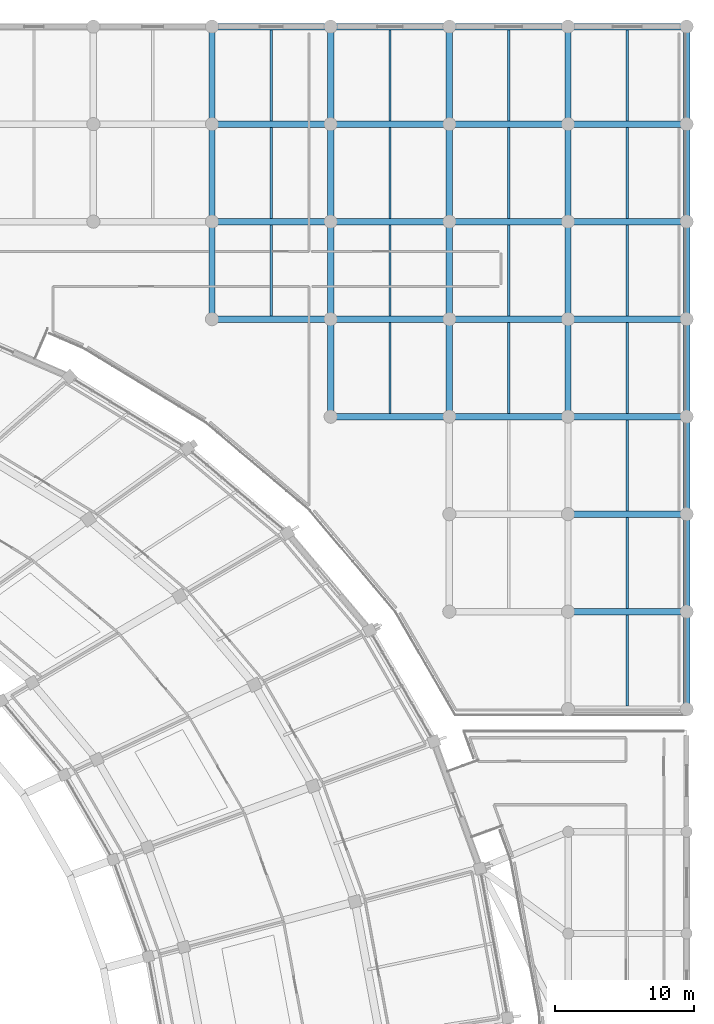
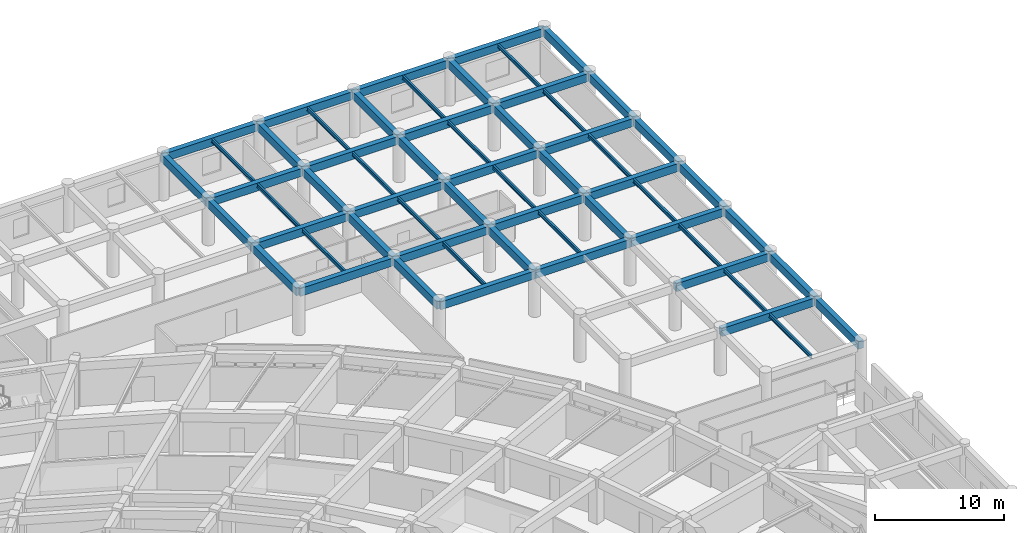
# One storey, part 76 of 145: 61 beams.
"""IFC4 building model written with IfcOpenShell, lengths in metres."""

from ifc_helpers import new_model, si_unit, direction, frame, origin, origin_2d, place, context, subcontext, project, spatial, rectangle, i_section, extrude, material, material_profile, profile_set, type_object, element, save


model = new_model("IFC4")

# Units and contexts
model_context = context("Model", 3, precision=1e-05, world=origin(), true_north=direction((0.0, 1.0)))
body_context = subcontext(model_context, "Body", "Model", "MODEL_VIEW")
ifc_project = project(units=[si_unit("LENGTHUNIT", "METRE"), si_unit("AREAUNIT", "SQUARE_METRE"), si_unit("VOLUMEUNIT", "CUBIC_METRE"), si_unit("PLANEANGLEUNIT", "RADIAN"), si_unit("MASSUNIT", "GRAM", prefix="KILO")], contexts=[model_context])

# Site, building, storey
site_placement = place(None, origin())
site = spatial("IfcSite", under=ifc_project, at=site_placement, CompositionType="ELEMENT")
building_placement = place(site_placement, origin())
building = spatial("IfcBuilding", under=site, at=building_placement, Name="Mphavela Belvedere Stadium", CompositionType="ELEMENT")
storey_placement = place(building_placement, frame((0.0, 0.0, 10.199951171875)))
storey = spatial("IfcBuildingStorey", under=building, at=storey_placement, Name="L02", CompositionType="ELEMENT", Elevation=10.199951171875)

# Beams
ifc_material_1 = material(Name="Steel S355", Category="steel")
ifc_material_profile_1 = material_profile(ifc_material_1, i_section(OverallWidth=0.169921875, OverallDepth=0.360107421875, WebThickness=0.008056640625, FlangeThickness=0.0126953125, at=origin_2d()), Name="IPE 360")
ifc_profile_set_1 = profile_set([ifc_material_profile_1], Name="Steel S355")
beam_type_1 = type_object("IfcBeamType", Name="BM-JOIST-IPE360", PredefinedType="JOIST", material=ifc_profile_set_1)
for number, where, z_axis, x_axis, name in (
    (1, (200.18505859375, 153.22509765625, 4.06005859375), (0.0, 1.0, 0.0), (-1.0, 0.0, 0.0), "North Mast and Ceremonial End Forecourt secondary joist L02 24-5"),
    (2, (200.18505859375, 160.22509765625, 4.06005859375), (0.0, 1.0, 0.0), (-1.0, 0.0, 0.0), "North Mast and Ceremonial End Forecourt secondary joist L02 24-6"),
    (3, (200.18505859375, 167.22509765625, 4.06005859375), (0.0, 1.0, 0.0), (-1.0, 0.0, 0.0), "North Mast and Ceremonial End Forecourt secondary joist L02 24-7"),
    (4, (208.70361328125, 146.22509765625, 4.06005859375), (0.0, 1.0, 0.0), (-1.0, 0.0, 0.0), "North Mast and Ceremonial End Forecourt secondary joist L02 25-4"),
    (5, (208.70361328125, 153.22509765625, 4.06005859375), (0.0, 1.0, 0.0), (-1.0, 0.0, 0.0), "North Mast and Ceremonial End Forecourt secondary joist L02 25-5"),
    (6, (208.70361328125, 160.22509765625, 4.06005859375), (0.0, 1.0, 0.0), (-1.0, 0.0, 0.0), "North Mast and Ceremonial End Forecourt secondary joist L02 25-6"),
    (7, (208.70361328125, 167.22509765625, 4.06005859375), (0.0, 1.0, 0.0), (-1.0, 0.0, 0.0), "North Mast and Ceremonial End Forecourt secondary joist L02 25-7"),
    (8, (217.221923828125, 146.22509765625, 4.06005859375), (0.0, 1.0, 0.0), (-1.0, 0.0, 0.0), "North Mast and Ceremonial End Forecourt secondary joist L02 26-4"),
    (9, (217.221923828125, 153.22509765625, 4.06005859375), (0.0, 1.0, 0.0), (-1.0, 0.0, 0.0), "North Mast and Ceremonial End Forecourt secondary joist L02 26-5"),
    (10, (217.221923828125, 160.22509765625, 4.06005859375), (0.0, 1.0, 0.0), (-1.0, 0.0, 0.0), "North Mast and Ceremonial End Forecourt secondary joist L02 26-6"),
    (11, (217.221923828125, 167.22509765625, 4.06005859375), (0.0, 1.0, 0.0), (-1.0, 0.0, 0.0), "North Mast and Ceremonial End Forecourt secondary joist L02 26-7"),
    (12, (225.740478515625, 125.22509765625, 4.06005859375), (0.0, 1.0, 0.0), (-1.0, 0.0, 0.0), "North Mast and Ceremonial End Forecourt secondary joist L02 27-1"),
    (13, (225.740478515625, 132.22509765625, 4.06005859375), (0.0, 1.0, 0.0), (-1.0, 0.0, 0.0), "North Mast and Ceremonial End Forecourt secondary joist L02 27-2"),
    (14, (225.740478515625, 139.22509765625, 4.06005859375), (0.0, 1.0, 0.0), (-1.0, 0.0, 0.0), "North Mast and Ceremonial End Forecourt secondary joist L02 27-3"),
    (15, (225.740478515625, 146.22509765625, 4.06005859375), (0.0, 1.0, 0.0), (-1.0, 0.0, 0.0), "North Mast and Ceremonial End Forecourt secondary joist L02 27-4"),
    (16, (225.740478515625, 153.22509765625, 4.06005859375), (0.0, 1.0, 0.0), (-1.0, 0.0, 0.0), "North Mast and Ceremonial End Forecourt secondary joist L02 27-5"),
    (17, (225.740478515625, 160.22509765625, 4.06005859375), (0.0, 1.0, 0.0), (-1.0, 0.0, 0.0), "North Mast and Ceremonial End Forecourt secondary joist L02 27-6"),
    (18, (225.740478515625, 167.22509765625, 4.06005859375), (0.0, 1.0, 0.0), (-1.0, 0.0, 0.0), "North Mast and Ceremonial End Forecourt secondary joist L02 27-7"),
):
    element("IfcBeam", number, at=place(storey_placement, frame(where, z_axis=z_axis, x_axis=x_axis)), inside=storey, type_object=beam_type_1, Name=name, PredefinedType="JOIST", context=body_context, shape_type="SweptSolid", body=[
        extrude(i_section(OverallWidth=0.169921875, OverallDepth=0.360107421875, WebThickness=0.008056640625, FlangeThickness=0.0126953125, at=origin_2d()), origin(), (0.0, 0.0, 1.0), 6.5498046875),
    ])
ifc_material_2 = material(Name="Concrete C40/50", Category="concrete")
ifc_material_profile_2 = material_profile(ifc_material_2, rectangle(XDim=0.449951171875, YDim=0.75, at=origin_2d()), Name="RC 450x750")
ifc_profile_set_2 = profile_set([ifc_material_profile_2], Name="Concrete C40/50")
beam_type_2 = type_object("IfcBeamType", Name="BM-RC450x750", PredefinedType="BEAM", material=ifc_profile_set_2)
beam_1_placement = place(storey_placement, frame((195.926025390625, 153.0, 3.864990234375), z_axis=(1.0, 0.0, 0.0), x_axis=(0.0, 1.0, 0.0)))
element("IfcBeam", 19, at=beam_1_placement, inside=storey, type_object=beam_type_2, Name="North Mast and Ceremonial End Forecourt entablature beam X L02 24-5", PredefinedType="BEAM", context=body_context, shape_type="SweptSolid", body=[
    extrude(rectangle(XDim=0.449951171875, YDim=0.75, at=origin_2d()), origin(), (0.0, 0.0, 1.0), 8.51806640625),
])
beam_2_placement = place(storey_placement, frame((195.926025390625, 153.0, 3.864990234375), z_axis=(0.0, 1.0, 0.0), x_axis=(-1.0, 0.0, 0.0)))
element("IfcBeam", 20, at=beam_2_placement, inside=storey, type_object=beam_type_2, Name="North Mast and Ceremonial End Forecourt entablature beam Y L02 24-5", PredefinedType="BEAM", context=body_context, shape_type="SweptSolid", body=[
    extrude(rectangle(XDim=0.449951171875, YDim=0.75, at=origin_2d()), origin(), (0.0, 0.0, 1.0), 7.0),
])
beam_3_placement = place(storey_placement, frame((195.926025390625, 160.0, 3.864990234375), z_axis=(1.0, 0.0, 0.0), x_axis=(0.0, 1.0, 0.0)))
element("IfcBeam", 21, at=beam_3_placement, inside=storey, type_object=beam_type_2, Name="North Mast and Ceremonial End Forecourt entablature beam X L02 24-6", PredefinedType="BEAM", context=body_context, shape_type="SweptSolid", body=[
    extrude(rectangle(XDim=0.449951171875, YDim=0.75, at=origin_2d()), origin(), (0.0, 0.0, 1.0), 8.51806640625),
])
beam_4_placement = place(storey_placement, frame((195.926025390625, 160.0, 3.864990234375), z_axis=(0.0, 1.0, 0.0), x_axis=(-1.0, 0.0, 0.0)))
element("IfcBeam", 22, at=beam_4_placement, inside=storey, type_object=beam_type_2, Name="North Mast and Ceremonial End Forecourt entablature beam Y L02 24-6", PredefinedType="BEAM", context=body_context, shape_type="SweptSolid", body=[
    extrude(rectangle(XDim=0.449951171875, YDim=0.75, at=origin_2d()), origin(), (0.0, 0.0, 1.0), 7.0),
])
beam_5_placement = place(storey_placement, frame((195.926025390625, 167.0, 3.864990234375), z_axis=(1.0, 0.0, 0.0), x_axis=(0.0, 1.0, 0.0)))
element("IfcBeam", 23, at=beam_5_placement, inside=storey, type_object=beam_type_2, Name="North Mast and Ceremonial End Forecourt entablature beam X L02 24-7", PredefinedType="BEAM", context=body_context, shape_type="SweptSolid", body=[
    extrude(rectangle(XDim=0.449951171875, YDim=0.75, at=origin_2d()), origin(), (0.0, 0.0, 1.0), 8.51806640625),
])
beam_6_placement = place(storey_placement, frame((195.926025390625, 167.0, 3.864990234375), z_axis=(0.0, 1.0, 0.0), x_axis=(-1.0, 0.0, 0.0)))
element("IfcBeam", 24, at=beam_6_placement, inside=storey, type_object=beam_type_2, Name="North Mast and Ceremonial End Forecourt entablature beam Y L02 24-7", PredefinedType="BEAM", context=body_context, shape_type="SweptSolid", body=[
    extrude(rectangle(XDim=0.449951171875, YDim=0.75, at=origin_2d()), origin(), (0.0, 0.0, 1.0), 7.0),
])
beam_7_placement = place(storey_placement, frame((195.926025390625, 174.0, 3.864990234375), z_axis=(1.0, 0.0, 0.0), x_axis=(0.0, 1.0, 0.0)))
element("IfcBeam", 25, at=beam_7_placement, inside=storey, type_object=beam_type_2, Name="North Mast and Ceremonial End Forecourt entablature beam X L02 24-8", PredefinedType="BEAM", context=body_context, shape_type="SweptSolid", body=[
    extrude(rectangle(XDim=0.449951171875, YDim=0.75, at=origin_2d()), origin(), (0.0, 0.0, 1.0), 8.51806640625),
])
beam_8_placement = place(storey_placement, frame((204.444091796875, 146.0, 3.864990234375), z_axis=(1.0, 0.0, 0.0), x_axis=(0.0, 1.0, 0.0)))
element("IfcBeam", 26, at=beam_8_placement, inside=storey, type_object=beam_type_2, Name="North Mast and Ceremonial End Forecourt entablature beam X L02 25-4", PredefinedType="BEAM", context=body_context, shape_type="SweptSolid", body=[
    extrude(rectangle(XDim=0.449951171875, YDim=0.75, at=origin_2d()), origin(), (0.0, 0.0, 1.0), 8.518798828125),
])
beam_9_placement = place(storey_placement, frame((204.444091796875, 146.0, 3.864990234375), z_axis=(0.0, 1.0, 0.0), x_axis=(-1.0, 0.0, 0.0)))
element("IfcBeam", 27, at=beam_9_placement, inside=storey, type_object=beam_type_2, Name="North Mast and Ceremonial End Forecourt entablature beam Y L02 25-4", PredefinedType="BEAM", context=body_context, shape_type="SweptSolid", body=[
    extrude(rectangle(XDim=0.449951171875, YDim=0.75, at=origin_2d()), origin(), (0.0, 0.0, 1.0), 7.0),
])
beam_10_placement = place(storey_placement, frame((204.444091796875, 153.0, 3.864990234375), z_axis=(1.0, 0.0, 0.0), x_axis=(0.0, 1.0, 0.0)))
element("IfcBeam", 28, at=beam_10_placement, inside=storey, type_object=beam_type_2, Name="North Mast and Ceremonial End Forecourt entablature beam X L02 25-5", PredefinedType="BEAM", context=body_context, shape_type="SweptSolid", body=[
    extrude(rectangle(XDim=0.449951171875, YDim=0.75, at=origin_2d()), origin(), (0.0, 0.0, 1.0), 8.518798828125),
])
beam_11_placement = place(storey_placement, frame((204.444091796875, 153.0, 3.864990234375), z_axis=(0.0, 1.0, 0.0), x_axis=(-1.0, 0.0, 0.0)))
element("IfcBeam", 29, at=beam_11_placement, inside=storey, type_object=beam_type_2, Name="North Mast and Ceremonial End Forecourt entablature beam Y L02 25-5", PredefinedType="BEAM", context=body_context, shape_type="SweptSolid", body=[
    extrude(rectangle(XDim=0.449951171875, YDim=0.75, at=origin_2d()), origin(), (0.0, 0.0, 1.0), 7.0),
])
beam_12_placement = place(storey_placement, frame((204.444091796875, 160.0, 3.864990234375), z_axis=(1.0, 0.0, 0.0), x_axis=(0.0, 1.0, 0.0)))
element("IfcBeam", 30, at=beam_12_placement, inside=storey, type_object=beam_type_2, Name="North Mast and Ceremonial End Forecourt entablature beam X L02 25-6", PredefinedType="BEAM", context=body_context, shape_type="SweptSolid", body=[
    extrude(rectangle(XDim=0.449951171875, YDim=0.75, at=origin_2d()), origin(), (0.0, 0.0, 1.0), 8.518798828125),
])
beam_13_placement = place(storey_placement, frame((204.444091796875, 160.0, 3.864990234375), z_axis=(0.0, 1.0, 0.0), x_axis=(-1.0, 0.0, 0.0)))
element("IfcBeam", 31, at=beam_13_placement, inside=storey, type_object=beam_type_2, Name="North Mast and Ceremonial End Forecourt entablature beam Y L02 25-6", PredefinedType="BEAM", context=body_context, shape_type="SweptSolid", body=[
    extrude(rectangle(XDim=0.449951171875, YDim=0.75, at=origin_2d()), origin(), (0.0, 0.0, 1.0), 7.0),
])
beam_14_placement = place(storey_placement, frame((204.444091796875, 167.0, 3.864990234375), z_axis=(1.0, 0.0, 0.0), x_axis=(0.0, 1.0, 0.0)))
element("IfcBeam", 32, at=beam_14_placement, inside=storey, type_object=beam_type_2, Name="North Mast and Ceremonial End Forecourt entablature beam X L02 25-7", PredefinedType="BEAM", context=body_context, shape_type="SweptSolid", body=[
    extrude(rectangle(XDim=0.449951171875, YDim=0.75, at=origin_2d()), origin(), (0.0, 0.0, 1.0), 8.518798828125),
])
beam_15_placement = place(storey_placement, frame((204.444091796875, 167.0, 3.864990234375), z_axis=(0.0, 1.0, 0.0), x_axis=(-1.0, 0.0, 0.0)))
element("IfcBeam", 33, at=beam_15_placement, inside=storey, type_object=beam_type_2, Name="North Mast and Ceremonial End Forecourt entablature beam Y L02 25-7", PredefinedType="BEAM", context=body_context, shape_type="SweptSolid", body=[
    extrude(rectangle(XDim=0.449951171875, YDim=0.75, at=origin_2d()), origin(), (0.0, 0.0, 1.0), 7.0),
])
beam_16_placement = place(storey_placement, frame((204.444091796875, 174.0, 3.864990234375), z_axis=(1.0, 0.0, 0.0), x_axis=(0.0, 1.0, 0.0)))
element("IfcBeam", 34, at=beam_16_placement, inside=storey, type_object=beam_type_2, Name="North Mast and Ceremonial End Forecourt entablature beam X L02 25-8", PredefinedType="BEAM", context=body_context, shape_type="SweptSolid", body=[
    extrude(rectangle(XDim=0.449951171875, YDim=0.75, at=origin_2d()), origin(), (0.0, 0.0, 1.0), 8.518798828125),
])
beam_17_placement = place(storey_placement, frame((212.962890625, 146.0, 3.864990234375), z_axis=(1.0, 0.0, 0.0), x_axis=(0.0, 1.0, 0.0)))
element("IfcBeam", 35, at=beam_17_placement, inside=storey, type_object=beam_type_2, Name="North Mast and Ceremonial End Forecourt entablature beam X L02 26-4", PredefinedType="BEAM", context=body_context, shape_type="SweptSolid", body=[
    extrude(rectangle(XDim=0.449951171875, YDim=0.75, at=origin_2d()), origin(), (0.0, 0.0, 1.0), 8.51806640625),
])
beam_18_placement = place(storey_placement, frame((212.962890625, 146.0, 3.864990234375), z_axis=(0.0, 1.0, 0.0), x_axis=(-1.0, 0.0, 0.0)))
element("IfcBeam", 36, at=beam_18_placement, inside=storey, type_object=beam_type_2, Name="North Mast and Ceremonial End Forecourt entablature beam Y L02 26-4", PredefinedType="BEAM", context=body_context, shape_type="SweptSolid", body=[
    extrude(rectangle(XDim=0.449951171875, YDim=0.75, at=origin_2d()), origin(), (0.0, 0.0, 1.0), 7.0),
])
beam_19_placement = place(storey_placement, frame((212.962890625, 153.0, 3.864990234375), z_axis=(1.0, 0.0, 0.0), x_axis=(0.0, 1.0, 0.0)))
element("IfcBeam", 37, at=beam_19_placement, inside=storey, type_object=beam_type_2, Name="North Mast and Ceremonial End Forecourt entablature beam X L02 26-5", PredefinedType="BEAM", context=body_context, shape_type="SweptSolid", body=[
    extrude(rectangle(XDim=0.449951171875, YDim=0.75, at=origin_2d()), origin(), (0.0, 0.0, 1.0), 8.51806640625),
])
beam_20_placement = place(storey_placement, frame((212.962890625, 153.0, 3.864990234375), z_axis=(0.0, 1.0, 0.0), x_axis=(-1.0, 0.0, 0.0)))
element("IfcBeam", 38, at=beam_20_placement, inside=storey, type_object=beam_type_2, Name="North Mast and Ceremonial End Forecourt entablature beam Y L02 26-5", PredefinedType="BEAM", context=body_context, shape_type="SweptSolid", body=[
    extrude(rectangle(XDim=0.449951171875, YDim=0.75, at=origin_2d()), origin(), (0.0, 0.0, 1.0), 7.0),
])
beam_21_placement = place(storey_placement, frame((212.962890625, 160.0, 3.864990234375), z_axis=(1.0, 0.0, 0.0), x_axis=(0.0, 1.0, 0.0)))
element("IfcBeam", 39, at=beam_21_placement, inside=storey, type_object=beam_type_2, Name="North Mast and Ceremonial End Forecourt entablature beam X L02 26-6", PredefinedType="BEAM", context=body_context, shape_type="SweptSolid", body=[
    extrude(rectangle(XDim=0.449951171875, YDim=0.75, at=origin_2d()), origin(), (0.0, 0.0, 1.0), 8.51806640625),
])
beam_22_placement = place(storey_placement, frame((212.962890625, 160.0, 3.864990234375), z_axis=(0.0, 1.0, 0.0), x_axis=(-1.0, 0.0, 0.0)))
element("IfcBeam", 40, at=beam_22_placement, inside=storey, type_object=beam_type_2, Name="North Mast and Ceremonial End Forecourt entablature beam Y L02 26-6", PredefinedType="BEAM", context=body_context, shape_type="SweptSolid", body=[
    extrude(rectangle(XDim=0.449951171875, YDim=0.75, at=origin_2d()), origin(), (0.0, 0.0, 1.0), 7.0),
])
beam_23_placement = place(storey_placement, frame((212.962890625, 167.0, 3.864990234375), z_axis=(1.0, 0.0, 0.0), x_axis=(0.0, 1.0, 0.0)))
element("IfcBeam", 41, at=beam_23_placement, inside=storey, type_object=beam_type_2, Name="North Mast and Ceremonial End Forecourt entablature beam X L02 26-7", PredefinedType="BEAM", context=body_context, shape_type="SweptSolid", body=[
    extrude(rectangle(XDim=0.449951171875, YDim=0.75, at=origin_2d()), origin(), (0.0, 0.0, 1.0), 8.51806640625),
])
beam_24_placement = place(storey_placement, frame((212.962890625, 167.0, 3.864990234375), z_axis=(0.0, 1.0, 0.0), x_axis=(-1.0, 0.0, 0.0)))
element("IfcBeam", 42, at=beam_24_placement, inside=storey, type_object=beam_type_2, Name="North Mast and Ceremonial End Forecourt entablature beam Y L02 26-7", PredefinedType="BEAM", context=body_context, shape_type="SweptSolid", body=[
    extrude(rectangle(XDim=0.449951171875, YDim=0.75, at=origin_2d()), origin(), (0.0, 0.0, 1.0), 7.0),
])
beam_25_placement = place(storey_placement, frame((212.962890625, 174.0, 3.864990234375), z_axis=(1.0, 0.0, 0.0), x_axis=(0.0, 1.0, 0.0)))
element("IfcBeam", 43, at=beam_25_placement, inside=storey, type_object=beam_type_2, Name="North Mast and Ceremonial End Forecourt entablature beam X L02 26-8", PredefinedType="BEAM", context=body_context, shape_type="SweptSolid", body=[
    extrude(rectangle(XDim=0.449951171875, YDim=0.75, at=origin_2d()), origin(), (0.0, 0.0, 1.0), 8.51806640625),
])
for number, where, z_axis, x_axis, name in (
    (44, (221.48095703125, 132.0, 3.864990234375), (1.0, 0.0, 0.0), (0.0, 1.0, 0.0), "North Mast and Ceremonial End Forecourt entablature beam X L02 27-2"),
    (45, (221.48095703125, 139.0, 3.864990234375), (1.0, 0.0, 0.0), (0.0, 1.0, 0.0), "North Mast and Ceremonial End Forecourt entablature beam X L02 27-3"),
    (46, (221.48095703125, 146.0, 3.864990234375), (1.0, 0.0, 0.0), (0.0, 1.0, 0.0), "North Mast and Ceremonial End Forecourt entablature beam X L02 27-4"),
):
    element("IfcBeam", number, at=place(storey_placement, frame(where, z_axis=z_axis, x_axis=x_axis)), inside=storey, type_object=beam_type_2, Name=name, PredefinedType="BEAM", context=body_context, shape_type="SweptSolid", body=[
        extrude(rectangle(XDim=0.449951171875, YDim=0.75, at=origin_2d()), origin(), (0.0, 0.0, 1.0), 8.51904296875),
    ])
beam_26_placement = place(storey_placement, frame((221.48095703125, 146.0, 3.864990234375), z_axis=(0.0, 1.0, 0.0), x_axis=(-1.0, 0.0, 0.0)))
element("IfcBeam", 47, at=beam_26_placement, inside=storey, type_object=beam_type_2, Name="North Mast and Ceremonial End Forecourt entablature beam Y L02 27-4", PredefinedType="BEAM", context=body_context, shape_type="SweptSolid", body=[
    extrude(rectangle(XDim=0.449951171875, YDim=0.75, at=origin_2d()), origin(), (0.0, 0.0, 1.0), 7.0),
])
beam_27_placement = place(storey_placement, frame((221.48095703125, 153.0, 3.864990234375), z_axis=(1.0, 0.0, 0.0), x_axis=(0.0, 1.0, 0.0)))
element("IfcBeam", 48, at=beam_27_placement, inside=storey, type_object=beam_type_2, Name="North Mast and Ceremonial End Forecourt entablature beam X L02 27-5", PredefinedType="BEAM", context=body_context, shape_type="SweptSolid", body=[
    extrude(rectangle(XDim=0.449951171875, YDim=0.75, at=origin_2d()), origin(), (0.0, 0.0, 1.0), 8.51904296875),
])
beam_28_placement = place(storey_placement, frame((221.48095703125, 153.0, 3.864990234375), z_axis=(0.0, 1.0, 0.0), x_axis=(-1.0, 0.0, 0.0)))
element("IfcBeam", 49, at=beam_28_placement, inside=storey, type_object=beam_type_2, Name="North Mast and Ceremonial End Forecourt entablature beam Y L02 27-5", PredefinedType="BEAM", context=body_context, shape_type="SweptSolid", body=[
    extrude(rectangle(XDim=0.449951171875, YDim=0.75, at=origin_2d()), origin(), (0.0, 0.0, 1.0), 7.0),
])
beam_29_placement = place(storey_placement, frame((221.48095703125, 160.0, 3.864990234375), z_axis=(1.0, 0.0, 0.0), x_axis=(0.0, 1.0, 0.0)))
element("IfcBeam", 50, at=beam_29_placement, inside=storey, type_object=beam_type_2, Name="North Mast and Ceremonial End Forecourt entablature beam X L02 27-6", PredefinedType="BEAM", context=body_context, shape_type="SweptSolid", body=[
    extrude(rectangle(XDim=0.449951171875, YDim=0.75, at=origin_2d()), origin(), (0.0, 0.0, 1.0), 8.51904296875),
])
beam_30_placement = place(storey_placement, frame((221.48095703125, 160.0, 3.864990234375), z_axis=(0.0, 1.0, 0.0), x_axis=(-1.0, 0.0, 0.0)))
element("IfcBeam", 51, at=beam_30_placement, inside=storey, type_object=beam_type_2, Name="North Mast and Ceremonial End Forecourt entablature beam Y L02 27-6", PredefinedType="BEAM", context=body_context, shape_type="SweptSolid", body=[
    extrude(rectangle(XDim=0.449951171875, YDim=0.75, at=origin_2d()), origin(), (0.0, 0.0, 1.0), 7.0),
])
beam_31_placement = place(storey_placement, frame((221.48095703125, 167.0, 3.864990234375), z_axis=(1.0, 0.0, 0.0), x_axis=(0.0, 1.0, 0.0)))
element("IfcBeam", 52, at=beam_31_placement, inside=storey, type_object=beam_type_2, Name="North Mast and Ceremonial End Forecourt entablature beam X L02 27-7", PredefinedType="BEAM", context=body_context, shape_type="SweptSolid", body=[
    extrude(rectangle(XDim=0.449951171875, YDim=0.75, at=origin_2d()), origin(), (0.0, 0.0, 1.0), 8.51904296875),
])
beam_32_placement = place(storey_placement, frame((221.48095703125, 167.0, 3.864990234375), z_axis=(0.0, 1.0, 0.0), x_axis=(-1.0, 0.0, 0.0)))
element("IfcBeam", 53, at=beam_32_placement, inside=storey, type_object=beam_type_2, Name="North Mast and Ceremonial End Forecourt entablature beam Y L02 27-7", PredefinedType="BEAM", context=body_context, shape_type="SweptSolid", body=[
    extrude(rectangle(XDim=0.449951171875, YDim=0.75, at=origin_2d()), origin(), (0.0, 0.0, 1.0), 7.0),
])
beam_33_placement = place(storey_placement, frame((221.48095703125, 174.0, 3.864990234375), z_axis=(1.0, 0.0, 0.0), x_axis=(0.0, 1.0, 0.0)))
element("IfcBeam", 54, at=beam_33_placement, inside=storey, type_object=beam_type_2, Name="North Mast and Ceremonial End Forecourt entablature beam X L02 27-8", PredefinedType="BEAM", context=body_context, shape_type="SweptSolid", body=[
    extrude(rectangle(XDim=0.449951171875, YDim=0.75, at=origin_2d()), origin(), (0.0, 0.0, 1.0), 8.51904296875),
])
for number, where, z_axis, x_axis, name in (
    (55, (230.0, 125.0, 3.864990234375), (0.0, 1.0, 0.0), (-1.0, 0.0, 0.0), "North Mast and Ceremonial End Forecourt entablature beam Y L02 28-1"),
    (56, (230.0, 132.0, 3.864990234375), (0.0, 1.0, 0.0), (-1.0, 0.0, 0.0), "North Mast and Ceremonial End Forecourt entablature beam Y L02 28-2"),
    (57, (230.0, 139.0, 3.864990234375), (0.0, 1.0, 0.0), (-1.0, 0.0, 0.0), "North Mast and Ceremonial End Forecourt entablature beam Y L02 28-3"),
    (58, (230.0, 146.0, 3.864990234375), (0.0, 1.0, 0.0), (-1.0, 0.0, 0.0), "North Mast and Ceremonial End Forecourt entablature beam Y L02 28-4"),
    (59, (230.0, 153.0, 3.864990234375), (0.0, 1.0, 0.0), (-1.0, 0.0, 0.0), "North Mast and Ceremonial End Forecourt entablature beam Y L02 28-5"),
    (60, (230.0, 160.0, 3.864990234375), (0.0, 1.0, 0.0), (-1.0, 0.0, 0.0), "North Mast and Ceremonial End Forecourt entablature beam Y L02 28-6"),
    (61, (230.0, 167.0, 3.864990234375), (0.0, 1.0, 0.0), (-1.0, 0.0, 0.0), "North Mast and Ceremonial End Forecourt entablature beam Y L02 28-7"),
):
    element("IfcBeam", number, at=place(storey_placement, frame(where, z_axis=z_axis, x_axis=x_axis)), inside=storey, type_object=beam_type_2, Name=name, PredefinedType="BEAM", context=body_context, shape_type="SweptSolid", body=[
        extrude(rectangle(XDim=0.449951171875, YDim=0.75, at=origin_2d()), origin(), (0.0, 0.0, 1.0), 7.0),
    ])

save(model, "model.ifc")
